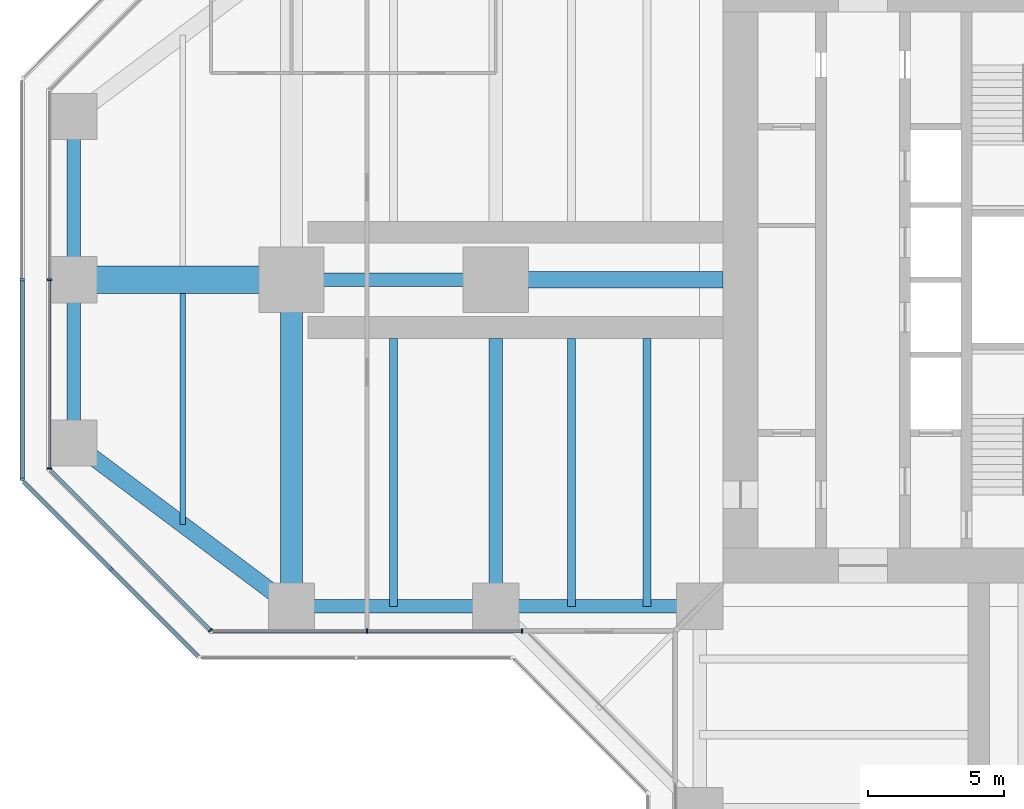
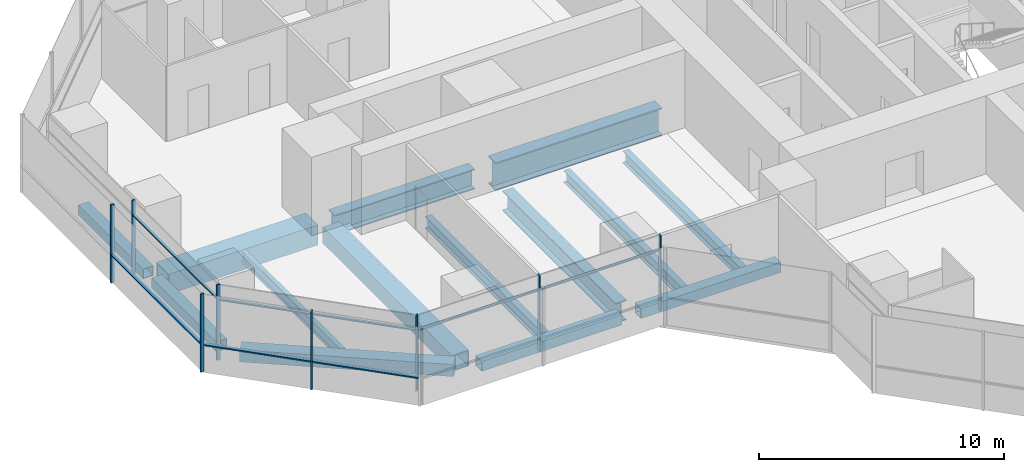
# One storey, part 3 of 19: 15 members, 14 beams, 5 elements without a shape of their own.
"""IFC4 building model written with IfcOpenShell, lengths in metres."""

import ifcopenshell
import ifcopenshell.guid

model = None  # the IFC model being written
_history = None  # IfcOwnerHistory: only IFC2X3 demands one
_inside = {}  # id of a spatial element -> (the spatial element, [elements in it])
_under = {}  # id of a project, library or spatial element -> (it, [spatial elements below it])
_declared = {}  # id of a project -> (the project, [libraries it declares])
_typed = {}  # id of a type object -> (the type object, [elements of that type])
_made_of = {}  # id of a material, layer set ... -> (it, [elements and type objects made of it])


def new_model(schema):
    """Start an empty IFC model of exactly this schema.

    Asked for "IFC4X3", IfcOpenShell would pick the latest addendum, in which some entities
    have other attributes; the version numbers below select the first issue.
    IFC2X3 requires an IfcOwnerHistory on every rooted entity: one is made here for all.
    """
    global model, _history
    if schema == "IFC4X3":
        model = ifcopenshell.file(schema_version=(4, 3, 0, 0))
    else:
        model = ifcopenshell.file(schema=schema)
    _inside.clear()
    _under.clear()
    _declared.clear()
    _typed.clear()
    _made_of.clear()
    _history = None
    if model.schema == "IFC2X3":
        org = make("IfcOrganization", Name="unknown")
        user = make(
            "IfcPersonAndOrganization",
            ThePerson=make("IfcPerson", FamilyName="unknown"),
            TheOrganization=org,
        )
        app = make(
            "IfcApplication",
            ApplicationDeveloper=org,
            Version="unknown",
            ApplicationFullName="unknown",
            ApplicationIdentifier="unknown",
        )
        _history = make(
            "IfcOwnerHistory",
            OwningUser=user,
            OwningApplication=app,
            ChangeAction="ADDED",
            CreationDate=0,
        )
    return model


def make(cls, **values):
    """One entity of the class cls with the attributes given. An attribute that is None is left unset."""
    return model.create_entity(
        cls, **{name: value for name, value in values.items() if value is not None}
    )


def rooted(cls, **values):
    """An entity with a GlobalId (a new one), such as an element, a storey or a relation."""
    return make(cls, GlobalId=ifcopenshell.guid.new(), OwnerHistory=_history, **values)


def si_unit(unit_type, name, prefix=None):
    """IfcSIUnit, for example si_unit("LENGTHUNIT", "METRE", prefix="MILLI")."""
    return make("IfcSIUnit", UnitType=unit_type, Prefix=prefix, Name=name)


def assignment(units):
    """IfcUnitAssignment: the units of a project."""
    return None if units is None else make("IfcUnitAssignment", Units=units)


def point(xyz):
    """IfcCartesianPoint."""
    return None if xyz is None else make("IfcCartesianPoint", Coordinates=xyz)


def direction(xyz):
    """IfcDirection."""
    return None if xyz is None else make("IfcDirection", DirectionRatios=xyz)


def frame(location, z_axis=None, x_axis=None):
    """IfcAxis2Placement3D, a coordinate frame: its origin and axes. An axis left out is left unset."""
    return make(
        "IfcAxis2Placement3D",
        Location=point(location),
        Axis=direction(z_axis),
        RefDirection=direction(x_axis),
    )


def frame_2d(location, x_axis=None):
    """IfcAxis2Placement2D, a coordinate frame in the plane: its origin and x axis."""
    return make(
        "IfcAxis2Placement2D", Location=point(location), RefDirection=direction(x_axis)
    )


def origin():
    """The frame at (0, 0, 0) with its axes left unset."""
    return frame((0.0, 0.0, 0.0))


def origin_2d():
    """The frame at (0, 0) in the plane with its x axis left unset."""
    return frame_2d((0.0, 0.0))


def place(relative_to, where):
    """IfcLocalPlacement: puts the frame where relative to a parent placement (None: the world)."""
    return make(
        "IfcLocalPlacement", PlacementRelTo=relative_to, RelativePlacement=where
    )


def context(
    kind, dimensions, precision=None, world=None, true_north=None, identifier=None
):
    """IfcGeometricRepresentationContext, for example the 3D "Model" context."""
    return make(
        "IfcGeometricRepresentationContext",
        ContextIdentifier=identifier,
        ContextType=kind,
        CoordinateSpaceDimension=dimensions,
        Precision=precision,
        WorldCoordinateSystem=world,
        TrueNorth=true_north,
    )


def subcontext(parent, identifier, kind, view, scale=None):
    """IfcGeometricRepresentationSubContext, for example "Body" below "Model"."""
    return make(
        "IfcGeometricRepresentationSubContext",
        ContextIdentifier=identifier,
        ContextType=kind,
        ParentContext=parent,
        TargetScale=scale,
        TargetView=view,
    )


def project(units=None, contexts=None):
    """IfcProject with its units and contexts."""
    return rooted(
        "IfcProject",
        Name="project",
        RepresentationContexts=contexts,
        UnitsInContext=assignment(units),
    )


def spatial(cls, under=None, at=None, **own):
    """A site, building, storey or space (cls), placed at a placement, below another one or the project."""
    s = rooted(cls, ObjectPlacement=at, **own)
    if under is not None:
        _under.setdefault(under.id(), (under, []))[1].append(s)
    return s


def profile(cls, at=None, kind="AREA", **sizes):
    """A parametric profile (cls). Its sizes go by their IFC names, for example OverallWidth=200.0."""
    return make(cls, ProfileType=kind, Position=at, **sizes)


def rectangle(**sizes):
    """IfcRectangleProfileDef."""
    return profile("IfcRectangleProfileDef", **sizes)


def hollow_rectangle(**sizes):
    """IfcRectangleHollowProfileDef."""
    return profile("IfcRectangleHollowProfileDef", **sizes)


def i_section(**sizes):
    """IfcIShapeProfileDef."""
    return profile("IfcIShapeProfileDef", **sizes)


def extrude(swept, where, along, depth):
    """IfcExtrudedAreaSolid: the profile swept, set in the frame where, extruded along a direction by depth."""
    return make(
        "IfcExtrudedAreaSolid",
        SweptArea=swept,
        Position=where,
        ExtrudedDirection=direction(along),
        Depth=depth,
    )


def shape(context_of_items, identifier, shape_type, items):
    """IfcShapeRepresentation: the items that make up one representation, for example the "Body"."""
    return make(
        "IfcShapeRepresentation",
        ContextOfItems=context_of_items,
        RepresentationIdentifier=identifier,
        RepresentationType=shape_type,
        Items=items,
    )


def material(Name=None, Category=None):
    """IfcMaterial."""
    return make("IfcMaterial", Name=Name, Category=Category)


def material_profile(
    of_material, cross_section, Name=None, Category=None, Priority=None
):
    """IfcMaterialProfile: a cross section and its material."""
    return make(
        "IfcMaterialProfile",
        Name=Name,
        Material=of_material,
        Profile=cross_section,
        Priority=Priority,
        Category=Category,
    )


def profile_set(profiles, Name=None, composite=None):
    """IfcMaterialProfileSet."""
    return make(
        "IfcMaterialProfileSet",
        Name=Name,
        MaterialProfiles=profiles,
        CompositeProfile=composite,
    )


def made_of(thing, what):
    """Note that an element or type object is made of a material, layer set ...; save() writes the relation."""
    if what is not None:
        _made_of.setdefault(what.id(), (what, []))[1].append(thing)
    return thing


def type_object(cls, material=None, **own):
    """A type object (cls), such as IfcWallType, which elements share."""
    return made_of(rooted(cls, **own), material)


def element(
    cls,
    number,
    at=None,
    inside=None,
    cuts=None,
    type_object=None,
    material=None,
    context=None,
    identifier="Body",
    shape_type=None,
    held_by="IfcProductDefinitionShape",
    body=None,
    shapes=None,
    **own,
):
    """One element of the class cls, such as IfcWall. Its Tag is "e" and its number.

    at: its placement. inside: the storey or other place that contains it. cuts: it is an
    opening in that element (IfcRelVoidsElement). A single representation is given by context,
    identifier, shape_type and body (its items); several are given by shapes. held_by: the class
    of the entity that holds the representations. save() writes the other relations.
    """
    e = rooted(cls, Tag="e%d" % number, ObjectPlacement=at, **own)
    if body is not None:
        shapes = [shape(context, identifier, shape_type, body)]
    if shapes is not None:
        e.Representation = make(held_by, Representations=shapes)
    if inside is not None:
        _inside.setdefault(inside.id(), (inside, []))[1].append(e)
    if cuts is not None:
        rooted(
            "IfcRelVoidsElement", RelatingBuildingElement=cuts, RelatedOpeningElement=e
        )
    if type_object is not None:
        _typed.setdefault(type_object.id(), (type_object, []))[1].append(e)
    return made_of(e, material)


def aggregate(whole, parts):
    """IfcRelAggregates: a whole, such as a stair, and the parts it consists of."""
    return rooted("IfcRelAggregates", RelatingObject=whole, RelatedObjects=parts)


def save(model, path):
    """Write the relations noted so far, then the file.

    IfcRelAggregates (storeys below a building ...), IfcRelContainedInSpatialStructure (elements
    in a storey), IfcRelDefinesByType, IfcRelAssociatesMaterial and IfcRelDeclares: one each for
    every whole, place, type object, material and project.
    """
    for whole, parts in _under.values():
        aggregate(whole, parts)
    for where, things in _inside.values():
        rooted(
            "IfcRelContainedInSpatialStructure",
            RelatedElements=things,
            RelatingStructure=where,
        )
    for kind, things in _typed.values():
        rooted("IfcRelDefinesByType", RelatedObjects=things, RelatingType=kind)
    for what, things in _made_of.values():
        rooted("IfcRelAssociatesMaterial", RelatedObjects=things, RelatingMaterial=what)
    for by, libraries in _declared.values():
        rooted("IfcRelDeclares", RelatingContext=by, RelatedDefinitions=libraries)
    model.write(path)


model = new_model("IFC4")

# Units and contexts
model_context = context("Model", 3, precision=1e-05, world=origin(), true_north=direction((0.0, 1.0)))
body_context = subcontext(model_context, "Body", "Model", "MODEL_VIEW")
ifc_project = project(units=[si_unit("LENGTHUNIT", "METRE"), si_unit("AREAUNIT", "SQUARE_METRE"), si_unit("VOLUMEUNIT", "CUBIC_METRE"), si_unit("PLANEANGLEUNIT", "RADIAN"), si_unit("MASSUNIT", "GRAM", prefix="KILO")], contexts=[model_context])

# Site, building, storey
site_placement = place(None, origin())
site = spatial("IfcSite", under=ifc_project, at=site_placement, CompositionType="ELEMENT")
building_placement = place(site_placement, origin())
building = spatial("IfcBuilding", under=site, at=building_placement, Name="Mizan Broadcast Tower", CompositionType="ELEMENT")
storey_placement = place(building_placement, frame((0.0, 0.0, 163.199951171875)))
storey = spatial("IfcBuildingStorey", under=building, at=storey_placement, Name="L37", CompositionType="ELEMENT", Elevation=163.199951171875)

# Beams
ifc_material_1 = material(Name="Steel S355", Category="steel")
ifc_material_profile_1 = material_profile(ifc_material_1, hollow_rectangle(XDim=0.5, YDim=0.5, WallThickness=0.030029296875, at=origin_2d()), Name="BOX 500x500x30")
ifc_profile_set_1 = profile_set([ifc_material_profile_1], Name="Steel S355")
beam_type_1 = type_object("IfcBeamType", Name="EDGE BEAM BOX 500x500x30", PredefinedType="SPANDREL", material=ifc_profile_set_1)
beam_1_placement = place(storey_placement, frame((-35.0, 5.639892578125, -0.3798828125), z_axis=(0.0, -1.0, 0.0), x_axis=(1.0, 0.0, 0.0)))
element("IfcBeam", 1, at=beam_1_placement, inside=storey, type_object=beam_type_1, Name="Edge beam BOX 500x500x30 L37 west arm", PredefinedType="SPANDREL", context=body_context, shape_type="SweptSolid", body=[
    extrude(hollow_rectangle(XDim=0.5, YDim=0.5, WallThickness=0.030029296875, at=origin_2d()), origin(), (0.0, 0.0, 1.0), 5.27978515625),
])
for number, where, z_axis, x_axis, name in (
    (2, (-12.449951171875, -12.0, -0.3798828125), (-1.0, 0.0, 0.0), (0.0, -1.0, 0.0), "Edge beam BOX 500x500x30 L37 west arm"),
    (3, (-19.949951171875, -12.0, -0.3798828125), (-1.0, 0.0, 0.0), (0.0, -1.0, 0.0), "Edge beam BOX 500x500x30 L37 west arm"),
):
    element("IfcBeam", number, at=place(storey_placement, frame(where, z_axis=z_axis, x_axis=x_axis)), inside=storey, type_object=beam_type_1, Name=name, PredefinedType="SPANDREL", context=body_context, shape_type="SweptSolid", body=[
        extrude(hollow_rectangle(XDim=0.5, YDim=0.5, WallThickness=0.030029296875, at=origin_2d()), origin(), (0.0, 0.0, 1.0), 6.60009765625),
    ])
beam_2_placement = place(storey_placement, frame((-35.0, -5.639892578125, -0.3798828125), z_axis=(0.0, 1.0, 0.0), x_axis=(-1.0, 0.0, 0.0)))
element("IfcBeam", 4, at=beam_2_placement, inside=storey, type_object=beam_type_1, Name="Edge beam BOX 500x500x30 L37 west arm", PredefinedType="SPANDREL", context=body_context, shape_type="SweptSolid", body=[
    extrude(hollow_rectangle(XDim=0.5, YDim=0.5, WallThickness=0.030029296875, at=origin_2d()), origin(), (0.0, 0.0, 1.0), 5.27978515625),
])
ifc_material_2 = material(Name="Steel S355", Category="steel")
ifc_material_profile_2 = material_profile(ifc_material_2, hollow_rectangle(XDim=0.60009765625, YDim=0.60009765625, WallThickness=0.030029296875, at=origin_2d()), Name="BOX 600x600x30")
ifc_profile_set_2 = profile_set([ifc_material_profile_2], Name="Steel S355")
beam_type_2 = type_object("IfcBeamType", Name="EDGE BEAM BOX 600x600x30", PredefinedType="SPANDREL", material=ifc_profile_set_2)
beam_3_placement = place(storey_placement, frame((-27.47998046875, -11.639892578125, -0.429931640625), z_axis=(-0.800013316712, 0.599982243973, 0.0), x_axis=(-0.599982243973, -0.800013316712, 0.0)))
element("IfcBeam", 5, at=beam_3_placement, inside=storey, type_object=beam_type_2, Name="Edge beam BOX 600x600x30 L37 west arm", PredefinedType="SPANDREL", context=body_context, shape_type="SweptSolid", body=[
    extrude(hollow_rectangle(XDim=0.60009765625, YDim=0.60009765625, WallThickness=0.030029296875, at=origin_2d()), origin(), (0.0, 0.0, 1.0), 8.7998046875),
])
ifc_material_3 = material(Name="Steel S460", Category="steel")
ifc_material_profile_3 = material_profile(ifc_material_3, hollow_rectangle(XDim=1.0, YDim=1.0, WallThickness=0.06005859375, at=origin_2d()), Name="BOX 1000x1000x60")
ifc_profile_set_3 = profile_set([ifc_material_profile_3], Name="Steel S460")
beam_type_3 = type_object("IfcBeamType", Name="GIRDER BOX 1000x1000x60", PredefinedType="BEAM", material=ifc_profile_set_3)
beam_4_placement = place(storey_placement, frame((-27.47998046875, 0.0, -0.6298828125), z_axis=(-1.0, 0.0, 0.0), x_axis=(0.0, -1.0, 0.0)))
element("IfcBeam", 6, at=beam_4_placement, inside=storey, type_object=beam_type_3, Name="Girder BOX 1000x1000x60 L37 west arm", PredefinedType="BEAM", context=body_context, shape_type="SweptSolid", body=[
    extrude(hollow_rectangle(XDim=1.0, YDim=1.0, WallThickness=0.06005859375, at=origin_2d()), origin(), (0.0, 0.0, 1.0), 7.0400390625),
])
ifc_material_4 = material(Name="Steel S460", Category="steel")
ifc_material_profile_4 = material_profile(ifc_material_4, hollow_rectangle(XDim=0.800048828125, YDim=0.800048828125, WallThickness=0.050048828125, at=origin_2d()), Name="BOX 800x800x50")
ifc_profile_set_4 = profile_set([ifc_material_profile_4], Name="Steel S460")
beam_type_4 = type_object("IfcBeamType", Name="GIRDER BOX 800x800x50", PredefinedType="BEAM", material=ifc_profile_set_4)
beam_5_placement = place(storey_placement, frame((-27.0, -11.280029296875, -0.530029296875), z_axis=(0.0, 1.0, 0.0), x_axis=(-1.0, 0.0, 0.0)))
element("IfcBeam", 7, at=beam_5_placement, inside=storey, type_object=beam_type_4, Name="Girder BOX 800x800x50 L37 west arm", PredefinedType="BEAM", context=body_context, shape_type="SweptSolid", body=[
    extrude(hollow_rectangle(XDim=0.800048828125, YDim=0.800048828125, WallThickness=0.050048828125, at=origin_2d()), origin(), (0.0, 0.0, 1.0), 10.56005859375),
])
ifc_material_5 = material(Name="Steel S460", Category="steel")
ifc_material_profile_5 = material_profile(ifc_material_5, i_section(OverallWidth=0.5, OverallDepth=1.0, WebThickness=0.02490234375, FlangeThickness=0.050048828125, at=origin_2d()), Name="WPG 1000x500")
ifc_profile_set_5 = profile_set([ifc_material_profile_5], Name="Steel S460")
beam_type_5 = type_object("IfcBeamType", Name="GIRDER WPG 1000x500", PredefinedType="BEAM", material=ifc_profile_set_5)
beam_6_placement = place(storey_placement, frame((-19.949951171875, 0.0, -0.6298828125), z_axis=(-1.0, 0.0, 0.0), x_axis=(0.0, -1.0, 0.0)))
element("IfcBeam", 8, at=beam_6_placement, inside=storey, type_object=beam_type_5, Name="Girder WPG 1000x500 L37 west arm", PredefinedType="BEAM", context=body_context, shape_type="SweptSolid", body=[
    extrude(i_section(OverallWidth=0.5, OverallDepth=1.0, WebThickness=0.02490234375, FlangeThickness=0.050048828125, at=origin_2d()), origin(), (0.0, 0.0, 1.0), 6.60009765625),
])
beam_7_placement = place(storey_placement, frame((-19.5, -11.408935546875, -0.6298828125), z_axis=(0.0, 1.0, 0.0), x_axis=(-1.0, 0.0, 0.0)))
element("IfcBeam", 9, at=beam_7_placement, inside=storey, type_object=beam_type_5, Name="Girder WPG 1000x500 L37 west arm", PredefinedType="BEAM", context=body_context, shape_type="SweptSolid", body=[
    extrude(i_section(OverallWidth=0.5, OverallDepth=1.0, WebThickness=0.02490234375, FlangeThickness=0.050048828125, at=origin_2d()), origin(), (0.0, 0.0, 1.0), 9.259033203125),
])
ifc_material_6 = material(Name="Steel S460", Category="steel")
ifc_material_profile_6 = material_profile(ifc_material_6, i_section(OverallWidth=0.60009765625, OverallDepth=1.39990234375, WebThickness=0.02490234375, FlangeThickness=0.06005859375, at=origin_2d()), Name="WPG 1400x600")
ifc_profile_set_6 = profile_set([ifc_material_profile_6], Name="Steel S460")
beam_type_6 = type_object("IfcBeamType", Name="GIRDER WPG 1400x600", PredefinedType="BEAM", material=ifc_profile_set_6)
beam_8_placement = place(storey_placement, frame((-11.14990234375, 0.0, -0.829833984375), z_axis=(-1.0, 0.0, 0.0), x_axis=(0.0, -1.0, 0.0)))
element("IfcBeam", 10, at=beam_8_placement, inside=storey, type_object=beam_type_6, Name="Girder WPG 1400x600 L37 west arm", PredefinedType="BEAM", context=body_context, shape_type="SweptSolid", body=[
    extrude(i_section(OverallWidth=0.60009765625, OverallDepth=1.39990234375, WebThickness=0.02490234375, FlangeThickness=0.06005859375, at=origin_2d()), origin(), (0.0, 0.0, 1.0), 7.84912109375),
])

# Curtain wall, members
ifc_material_7 = material(Name="Aluminium framed glazing", Category="aluminium")
curtain_wall_type_1 = type_object("IfcCurtainWallType", Name="INNER SKIN MID ZONE", PredefinedType="USERDEFINED", material=ifc_material_7)
curtain_wall_1_placement = place(storey_placement, origin())
curtain_wall_1 = element("IfcCurtainWall", 11, at=curtain_wall_1_placement, inside=storey, type_object=curtain_wall_type_1, Name="Inner skin mid zone L37 W end", ObjectType="INNER SKIN MID ZONE", PredefinedType="USERDEFINED")
ifc_material_8 = material(Name="Aluminium, pale anodised", Category="aluminium")
ifc_material_profile_7 = material_profile(ifc_material_8, rectangle(XDim=0.159912109375, YDim=0.06005859375, at=origin_2d()), Name="MULLION 160x60")
ifc_profile_set_7 = profile_set([ifc_material_profile_7], Name="Aluminium, pale anodised")
member_type_1 = type_object("IfcMemberType", Name="INNER SKIN MULLION 60x160", PredefinedType="MULLION", material=ifc_profile_set_7)
member_1_placement = place(storey_placement, frame((-35.89990234375, 0.0, 0.0), z_axis=(0.0, 0.0, 1.0), x_axis=(1.0, 0.0, 0.0)))
member_1 = element("IfcMember", 12, at=member_1_placement, type_object=member_type_1, Name="Inner skin mid zone L37 W end mullion 2", PredefinedType="MULLION", context=body_context, shape_type="SweptSolid", body=[
    extrude(rectangle(XDim=0.159912109375, YDim=0.06005859375, at=origin_2d()), origin(), (0.0, 0.0, 1.0), 3.77001953125),
])
member_2_placement = place(storey_placement, frame((-35.89990234375, -6.928466796875, 0.0), z_axis=(0.0, 0.0, 1.0), x_axis=(1.0, 0.0, 0.0)))
member_2 = element("IfcMember", 13, at=member_2_placement, type_object=member_type_1, Name="Inner skin mid zone L37 W end mullion 3", PredefinedType="MULLION", context=body_context, shape_type="SweptSolid", body=[
    extrude(rectangle(XDim=0.159912109375, YDim=0.06005859375, at=origin_2d()), origin(), (0.0, 0.0, 1.0), 3.77001953125),
])

# Curtain wall, member
curtain_wall_2_placement = place(storey_placement, origin())
curtain_wall_2 = element("IfcCurtainWall", 14, at=curtain_wall_2_placement, inside=storey, type_object=curtain_wall_type_1, Name="Inner skin mid zone L37 W chamfer", ObjectType="INNER SKIN MID ZONE", PredefinedType="USERDEFINED")
member_3_placement = place(storey_placement, frame((-29.979736328125, -12.87890625, 0.0), z_axis=(0.0, 0.0, 1.0), x_axis=(0.707106781187, 0.707106781187, 0.0)))
member_3 = element("IfcMember", 15, at=member_3_placement, type_object=member_type_1, Name="Inner skin mid zone L37 W chamfer mullion 2", PredefinedType="MULLION", context=body_context, shape_type="SweptSolid", body=[
    extrude(rectangle(XDim=0.159912109375, YDim=0.06005859375, at=origin_2d()), origin(), (0.0, 0.0, 1.0), 3.77001953125),
])

# Curtain wall, members
curtain_wall_3_placement = place(storey_placement, origin())
curtain_wall_3 = element("IfcCurtainWall", 16, at=curtain_wall_3_placement, inside=storey, type_object=curtain_wall_type_1, Name="Inner skin mid zone L37 W side", ObjectType="INNER SKIN MID ZONE", PredefinedType="USERDEFINED")
member_4_placement = place(storey_placement, frame((-24.229248046875, -12.89990234375, 0.0), z_axis=(0.0, 0.0, 1.0), x_axis=(0.0, 1.0, 0.0)))
member_4 = element("IfcMember", 17, at=member_4_placement, type_object=member_type_1, Name="Inner skin mid zone L37 W side mullion 2", PredefinedType="MULLION", context=body_context, shape_type="SweptSolid", body=[
    extrude(rectangle(XDim=0.159912109375, YDim=0.06005859375, at=origin_2d()), origin(), (0.0, 0.0, 1.0), 3.77001953125),
])
member_5_placement = place(storey_placement, frame((-18.530029296875, -12.89990234375, 0.0), z_axis=(0.0, 0.0, 1.0), x_axis=(0.0, 1.0, 0.0)))
member_5 = element("IfcMember", 18, at=member_5_placement, type_object=member_type_1, Name="Inner skin mid zone L37 W side mullion 3", PredefinedType="MULLION", context=body_context, shape_type="SweptSolid", body=[
    extrude(rectangle(XDim=0.159912109375, YDim=0.06005859375, at=origin_2d()), origin(), (0.0, 0.0, 1.0), 3.77001953125),
])

# Member
ifc_material_9 = material(Name="Aluminium, pale anodised", Category="aluminium")
ifc_material_profile_8 = material_profile(ifc_material_9, rectangle(XDim=0.1201171875, YDim=0.06005859375, at=origin_2d()), Name="TRANSOM 120x60")
ifc_profile_set_8 = profile_set([ifc_material_profile_8], Name="Aluminium, pale anodised")
member_type_2 = type_object("IfcMemberType", Name="INNER SKIN TRANSOM 60x120", PredefinedType="USERDEFINED", material=ifc_profile_set_8)
member_6_placement = place(storey_placement, frame((-35.89990234375, -0.030029296875, 3.030029296875), z_axis=(0.0, -1.0, 0.0), x_axis=(1.0, 0.0, 0.0)))
member_6 = element("IfcMember", 19, at=member_6_placement, type_object=member_type_2, Name="Inner skin mid zone L37 W end transom 2.1", ObjectType="TRANSOM", PredefinedType="USERDEFINED", context=body_context, shape_type="SweptSolid", body=[
    extrude(rectangle(XDim=0.1201171875, YDim=0.06005859375, at=origin_2d()), origin(), (0.0, 0.0, 1.0), 6.86865234375),
])

aggregate(curtain_wall_1, [member_1, member_2, member_6])

member_7_placement = place(storey_placement, frame((-35.857666015625, -7.0009765625, 3.030029296875), z_axis=(0.707106781187, -0.707106781187, 0.0), x_axis=(0.707106781187, 0.707106781187, 0.0)))
member_7 = element("IfcMember", 20, at=member_7_placement, type_object=member_type_2, Name="Inner skin mid zone L37 W chamfer transom 1.1", ObjectType="TRANSOM", PredefinedType="USERDEFINED", context=body_context, shape_type="SweptSolid", body=[
    extrude(rectangle(XDim=0.1201171875, YDim=0.06005859375, at=origin_2d()), origin(), (0.0, 0.0, 1.0), 8.28271484375),
])

aggregate(curtain_wall_2, [member_3, member_7])

member_8_placement = place(storey_placement, frame((-29.898681640625, -12.89990234375, 3.030029296875), z_axis=(1.0, 0.0, 0.0), x_axis=(0.0, 1.0, 0.0)))
member_8 = element("IfcMember", 21, at=member_8_placement, type_object=member_type_2, Name="Inner skin mid zone L37 W side transom 1.1", ObjectType="TRANSOM", PredefinedType="USERDEFINED", context=body_context, shape_type="SweptSolid", body=[
    extrude(rectangle(XDim=0.1201171875, YDim=0.06005859375, at=origin_2d()), origin(), (0.0, 0.0, 1.0), 5.639404296875),
])

member_9_placement = place(storey_placement, frame((-24.19921875, -12.89990234375, 3.030029296875), z_axis=(1.0, 0.0, 0.0), x_axis=(0.0, 1.0, 0.0)))
member_9 = element("IfcMember", 22, at=member_9_placement, type_object=member_type_2, Name="Inner skin mid zone L37 W side transom 2.1", ObjectType="TRANSOM", PredefinedType="USERDEFINED", context=body_context, shape_type="SweptSolid", body=[
    extrude(rectangle(XDim=0.1201171875, YDim=0.06005859375, at=origin_2d()), origin(), (0.0, 0.0, 1.0), 5.63916015625),
])

aggregate(curtain_wall_3, [member_4, member_5, member_8, member_9])

# Curtain wall, members
ifc_material_10 = material(Name="Aluminium framed glazing", Category="aluminium")
curtain_wall_type_2 = type_object("IfcCurtainWallType", Name="OUTER SKIN", PredefinedType="USERDEFINED", material=ifc_material_10)
curtain_wall_4_placement = place(storey_placement, origin())
curtain_wall_4 = element("IfcCurtainWall", 23, at=curtain_wall_4_placement, inside=storey, type_object=curtain_wall_type_2, Name="Outer skin L37 W end", ObjectType="OUTER SKIN", PredefinedType="USERDEFINED")
ifc_material_11 = material(Name="Aluminium, pale anodised", Category="aluminium")
ifc_material_profile_9 = material_profile(ifc_material_11, rectangle(XDim=0.159912109375, YDim=0.080078125, at=origin_2d()), Name="MULLION 160x80")
ifc_profile_set_9 = profile_set([ifc_material_profile_9], Name="Aluminium, pale anodised")
member_type_3 = type_object("IfcMemberType", Name="OUTER SKIN MULLION 80x160", PredefinedType="MULLION", material=ifc_profile_set_9)
member_10_placement = place(storey_placement, frame((-36.89990234375, 0.0, 0.0), z_axis=(0.0, 0.0, 1.0), x_axis=(1.0, 0.0, 0.0)))
member_10 = element("IfcMember", 24, at=member_10_placement, type_object=member_type_3, Name="Outer skin L37 W end mullion 2", PredefinedType="MULLION", context=body_context, shape_type="SweptSolid", body=[
    extrude(rectangle(XDim=0.159912109375, YDim=0.080078125, at=origin_2d()), origin(), (0.0, 0.0, 1.0), 3.900146484375),
])
member_11_placement = place(storey_placement, frame((-36.89990234375, -7.332763671875, 0.0), z_axis=(0.0, 0.0, 1.0), x_axis=(1.0, 0.0, 0.0)))
member_11 = element("IfcMember", 25, at=member_11_placement, type_object=member_type_3, Name="Outer skin L37 W end mullion 3", PredefinedType="MULLION", context=body_context, shape_type="SweptSolid", body=[
    extrude(rectangle(XDim=0.159912109375, YDim=0.080078125, at=origin_2d()), origin(), (0.0, 0.0, 1.0), 3.900146484375),
])

# Curtain wall, member
curtain_wall_5_placement = place(storey_placement, origin())
curtain_wall_5 = element("IfcCurtainWall", 26, at=curtain_wall_5_placement, inside=storey, type_object=curtain_wall_type_2, Name="Outer skin L37 W chamfer", ObjectType="OUTER SKIN", PredefinedType="USERDEFINED")
member_12_placement = place(storey_placement, frame((-33.636474609375, -10.636474609375, 0.0), z_axis=(0.0, 0.0, 1.0), x_axis=(0.707106781187, 0.707106781187, 0.0)))
member_12 = element("IfcMember", 27, at=member_12_placement, type_object=member_type_3, Name="Outer skin L37 W chamfer mullion 2", PredefinedType="MULLION", context=body_context, shape_type="SweptSolid", body=[
    extrude(rectangle(XDim=0.159912109375, YDim=0.080078125, at=origin_2d()), origin(), (0.0, 0.0, 1.0), 3.900146484375),
])

# Member
ifc_material_12 = material(Name="Aluminium, pale anodised", Category="aluminium")
ifc_material_profile_10 = material_profile(ifc_material_12, rectangle(XDim=0.159912109375, YDim=0.06005859375, at=origin_2d()), Name="TRANSOM 160x60")
ifc_profile_set_10 = profile_set([ifc_material_profile_10], Name="Aluminium, pale anodised")
member_type_4 = type_object("IfcMemberType", Name="OUTER SKIN TRANSOM 60x160", PredefinedType="USERDEFINED", material=ifc_profile_set_10)
member_13_placement = place(storey_placement, frame((-36.89990234375, -0.0400390625, 1.400146484375), z_axis=(0.0, -1.0, 0.0), x_axis=(1.0, 0.0, 0.0)))
member_13 = element("IfcMember", 28, at=member_13_placement, type_object=member_type_4, Name="Outer skin L37 W end transom 2.1", ObjectType="TRANSOM", PredefinedType="USERDEFINED", context=body_context, shape_type="SweptSolid", body=[
    extrude(rectangle(XDim=0.159912109375, YDim=0.06005859375, at=origin_2d()), origin(), (0.0, 0.0, 1.0), 7.252685546875),
])

aggregate(curtain_wall_4, [member_10, member_11, member_13])

member_14_placement = place(storey_placement, frame((-36.843505859375, -7.429443359375, 1.400146484375), z_axis=(0.707106781187, -0.707106781187, 0.0), x_axis=(0.707106781187, 0.707106781187, 0.0)))
member_14 = element("IfcMember", 29, at=member_14_placement, type_object=member_type_4, Name="Outer skin L37 W chamfer transom 1.1", ObjectType="TRANSOM", PredefinedType="USERDEFINED", context=body_context, shape_type="SweptSolid", body=[
    extrude(rectangle(XDim=0.159912109375, YDim=0.06005859375, at=origin_2d()), origin(), (0.0, 0.0, 1.0), 4.495361328125),
])

member_15_placement = place(storey_placement, frame((-33.608154296875, -10.664794921875, 1.400146484375), z_axis=(0.707106781187, -0.707106781187, 0.0), x_axis=(0.707106781187, 0.707106781187, 0.0)))
member_15 = element("IfcMember", 30, at=member_15_placement, type_object=member_type_4, Name="Outer skin L37 W chamfer transom 2.1", ObjectType="TRANSOM", PredefinedType="USERDEFINED", context=body_context, shape_type="SweptSolid", body=[
    extrude(rectangle(XDim=0.159912109375, YDim=0.06005859375, at=origin_2d()), origin(), (0.0, 0.0, 1.0), 4.495361328125),
])

aggregate(curtain_wall_5, [member_12, member_14, member_15])

# Beams
ifc_material_13 = material(Name="Steel S355", Category="steel")
ifc_material_profile_11 = material_profile(ifc_material_13, i_section(OverallWidth=0.300048828125, OverallDepth=0.590087890625, WebThickness=0.012939453125, FlangeThickness=0.02490234375, FilletRadius=0.027099609375, at=origin_2d()), Name="HEA 600")
ifc_profile_set_11 = profile_set([ifc_material_profile_11], Name="Steel S355")
beam_type_7 = type_object("IfcBeamType", Name="SECONDARY BEAM HEA 600", PredefinedType="JOIST", material=ifc_profile_set_11)
for number, where, z_axis, x_axis, name in (
    (31, (-13.933349609375, -12.0, -0.425048828125), (0.0, 1.0, 0.0), (-1.0, 0.0, 0.0), "Secondary beam HEA 600 L37 west arm"),
    (32, (-16.716552734375, -12.0, -0.425048828125), (0.0, 1.0, 0.0), (-1.0, 0.0, 0.0), "Secondary beam HEA 600 L37 west arm"),
    (33, (-23.25, -12.0, -0.425048828125), (0.0, 1.0, 0.0), (-1.0, 0.0, 0.0), "Secondary beam HEA 600 L37 west arm"),
):
    element("IfcBeam", number, at=place(storey_placement, frame(where, z_axis=z_axis, x_axis=x_axis)), inside=storey, type_object=beam_type_7, Name=name, PredefinedType="JOIST", context=body_context, shape_type="SweptSolid", body=[
        extrude(i_section(OverallWidth=0.300048828125, OverallDepth=0.590087890625, WebThickness=0.012939453125, FlangeThickness=0.02490234375, FilletRadius=0.027099609375, at=origin_2d()), origin(), (0.0, 0.0, 1.0), 9.85009765625),
    ])
ifc_material_14 = material(Name="Steel S355", Category="steel")
ifc_material_profile_12 = material_profile(ifc_material_14, i_section(OverallWidth=0.2099609375, OverallDepth=0.550048828125, WebThickness=0.010986328125, FlangeThickness=0.01708984375, FilletRadius=0.02392578125, at=origin_2d()), Name="IPE 550")
ifc_profile_set_12 = profile_set([ifc_material_profile_12], Name="Steel S355")
beam_type_8 = type_object("IfcBeamType", Name="SECONDARY BEAM IPE 550", PredefinedType="JOIST", material=ifc_profile_set_12)
beam_9_placement = place(storey_placement, frame((-31.0, -9.0, -0.405029296875), z_axis=(0.0, 1.0, 0.0), x_axis=(-1.0, 0.0, 0.0)))
element("IfcBeam", 34, at=beam_9_placement, inside=storey, type_object=beam_type_8, Name="Secondary beam IPE 550 L37 west arm", PredefinedType="JOIST", context=body_context, shape_type="SweptSolid", body=[
    extrude(i_section(OverallWidth=0.2099609375, OverallDepth=0.550048828125, WebThickness=0.010986328125, FlangeThickness=0.01708984375, FilletRadius=0.02392578125, at=origin_2d()), origin(), (0.0, 0.0, 1.0), 8.5),
])

save(model, "model.ifc")
